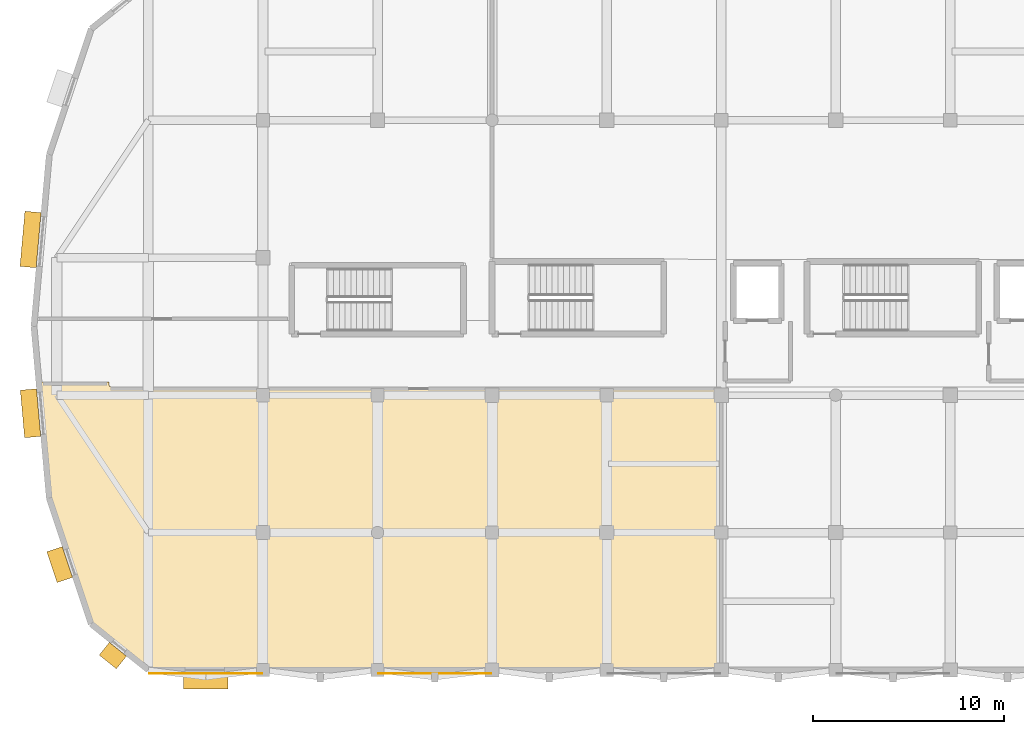
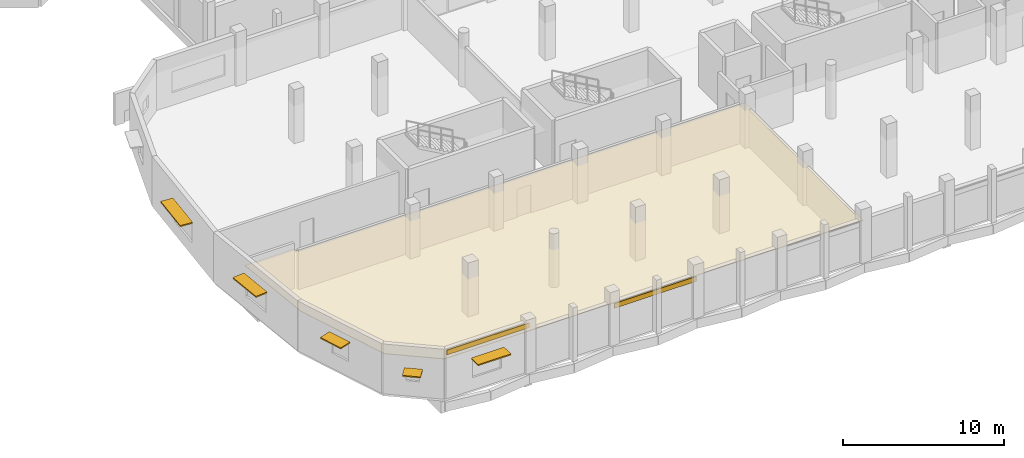
# One storey, part 114 of 127: 5 shading devices, 3 coverings.
"""IFC4 building model written with IfcOpenShell, lengths in metres."""

from ifc_helpers import new_model, si_unit, direction, frame, origin, origin_2d, place, context, subcontext, project, spatial, polyline, rectangle, outline, extrude, material, layer, layer_set, type_object, element, save


model = new_model("IFC4")

# Units and contexts
model_context = context("Model", 3, precision=1e-05, world=origin(), true_north=direction((0.0, 1.0)))
body_context = subcontext(model_context, "Body", "Model", "MODEL_VIEW")
ifc_project = project(units=[si_unit("LENGTHUNIT", "METRE"), si_unit("AREAUNIT", "SQUARE_METRE"), si_unit("VOLUMEUNIT", "CUBIC_METRE"), si_unit("PLANEANGLEUNIT", "RADIAN"), si_unit("MASSUNIT", "GRAM", prefix="KILO")], contexts=[model_context])

# Site, building, storey
site_placement = place(None, origin())
site = spatial("IfcSite", under=ifc_project, at=site_placement, CompositionType="ELEMENT")
building_placement = place(site_placement, origin())
building = spatial("IfcBuilding", under=site, at=building_placement, Name="Dunvalen Ferry Terminal", CompositionType="ELEMENT")
storey_placement = place(building_placement, frame((0.0, 0.0, 5.760009765625)))
storey = spatial("IfcBuildingStorey", under=building, at=storey_placement, Name="L01", CompositionType="ELEMENT", Elevation=5.760009765625)

# Coverings
ifc_material_1 = material(Name="Anodised marine aluminium fascia cladding", Category="aluminium")
ifc_layer_1 = layer(ifc_material_1, 0.050048828125, Name="Anodised marine aluminium fascia cladding")
ifc_layer_set_1 = layer_set([ifc_layer_1], Name="Anodised marine aluminium fascia cladding")
covering_type_1 = type_object("IfcCoveringType", Name="ENV-COV-CLD01", PredefinedType="CLADDING", material=ifc_layer_set_1)
for number, where, z_axis, x_axis, name in (
    (1, (9.0, -0.18408203125, 3.35009765625), (0.0, 0.0, 1.0), (1.0, 0.0, 0.0), "L01 Streamline Speed-Line Fascia Band 008"),
    (2, (21.0, -0.18408203125, 2.68017578125), (0.0, 0.0, 1.0), (1.0, 0.0, 0.0), "L01 Streamline Speed-Line Fascia Band 009"),
):
    element("IfcCovering", number, at=place(storey_placement, frame(where, z_axis=z_axis, x_axis=x_axis)), inside=storey, type_object=covering_type_1, Name=name, PredefinedType="CLADDING", context=body_context, shape_type="SweptSolid", body=[
        extrude(rectangle(XDim=5.89990234375, YDim=0.050048828125, at=origin_2d()), origin(), (0.0, 0.0, 1.0), 0.360107421875),
    ])

# Shading devices
ifc_material_2 = material(Name="Anodised marine aluminium EN AW-6063 T6", Category="aluminium")
ifc_layer_2 = layer(ifc_material_2, 0.090087890625, Name="Anodised marine aluminium EN AW-6063 T6")
ifc_layer_set_2 = layer_set([ifc_layer_2], Name="Anodised marine aluminium EN AW-6063 T6")
shading_device_type = type_object("IfcShadingDeviceType", Name="ENV-SHD-AWN01", PredefinedType="AWNING", material=ifc_layer_set_2)
shading_device_1_placement = place(storey_placement, frame((9.0, -0.5810546875, 2.384765625), z_axis=(0.0, 0.0, 1.0), x_axis=(1.0, 0.0, 0.0)))
element("IfcShadingDevice", 3, at=shading_device_1_placement, inside=storey, type_object=shading_device_type, Name="L01 Streamline Brise-Soleil Eyebrow 009", PredefinedType="AWNING", context=body_context, shape_type="SweptSolid", body=[
    extrude(rectangle(XDim=2.35009765625, YDim=0.85009765625, at=origin_2d()), origin(), (0.0, 0.0, 1.0), 0.090087890625),
])
shading_device_2_placement = place(storey_placement, frame((-0.1767578125, 22.5517578125, 2.48486328125), z_axis=(0.0, 0.0, 1.0), x_axis=(-0.088957034029, -0.996035464277, 0.0)))
element("IfcShadingDevice", 4, at=shading_device_2_placement, inside=storey, type_object=shading_device_type, Name="L01 Streamline Brise-Soleil Eyebrow 019", PredefinedType="AWNING", context=body_context, shape_type="SweptSolid", body=[
    extrude(rectangle(XDim=2.89990234375, YDim=0.85009765625, at=origin_2d()), origin(), (0.0, 0.0, 1.0), 0.090087890625),
])
shading_device_3_placement = place(storey_placement, frame((-0.1767578125, 13.4482421875, 2.48486328125), z_axis=(0.0, 0.0, 1.0), x_axis=(0.088957034029, -0.996035464277, 0.0)))
element("IfcShadingDevice", 5, at=shading_device_3_placement, inside=storey, type_object=shading_device_type, Name="L01 Streamline Brise-Soleil Eyebrow 020", PredefinedType="AWNING", context=body_context, shape_type="SweptSolid", body=[
    extrude(rectangle(XDim=2.5, YDim=0.85009765625, at=origin_2d()), origin(), (0.0, 0.0, 1.0), 0.090087890625),
])
shading_device_4_placement = place(storey_placement, frame((1.3505859375, 5.52197265625, 2.5849609375), z_axis=(0.0, 0.0, 1.0), x_axis=(0.316232085723, -0.948681858138, 0.0)))
element("IfcShadingDevice", 6, at=shading_device_4_placement, inside=storey, type_object=shading_device_type, Name="L01 Streamline Brise-Soleil Eyebrow 021", PredefinedType="AWNING", context=body_context, shape_type="SweptSolid", body=[
    extrude(rectangle(XDim=1.699951171875, YDim=0.85009765625, at=origin_2d()), origin(), (0.0, 0.0, 1.0), 0.090087890625),
])
shading_device_5_placement = place(storey_placement, frame((4.135986328125, 0.7529296875, 2.03515625), z_axis=(0.0, 0.0, 1.0), x_axis=(0.779409252356, -0.626515137361, 0.0)))
element("IfcShadingDevice", 7, at=shading_device_5_placement, inside=storey, type_object=shading_device_type, Name="L01 Streamline Brise-Soleil Eyebrow 022", PredefinedType="AWNING", context=body_context, shape_type="SweptSolid", body=[
    extrude(rectangle(XDim=1.14990234375, YDim=0.85009765625, at=origin_2d()), origin(), (0.0, 0.0, 1.0), 0.090087890625),
])

# Covering
ifc_material_3 = material(Name="Perforated marine aluminium acoustic baffle ceiling", Category="aluminium")
ifc_layer_3 = layer(ifc_material_3, 0.0400390625, Name="Perforated marine aluminium acoustic baffle ceiling")
ifc_layer_set_3 = layer_set([ifc_layer_3], Name="Perforated marine aluminium acoustic baffle ceiling")
covering_type_2 = type_object("IfcCoveringType", Name="INT-COV-CLG01", PredefinedType="CEILING", material=ifc_layer_set_3)
covering_placement = place(storey_placement, frame((0.0, 0.0, 2.81005859375)))
element("IfcCovering", 8, at=covering_placement, inside=storey, type_object=covering_type_2, Name="L01 Ferry Crew Welfare and Rest Lounge Acoustic Suspended Ceiling", PredefinedType="CEILING", context=body_context, shape_type="SweptSolid", body=[
    extrude(outline(polyline([(36.090087890625, 14.830078125), (4.0224609375, 14.830078125), (3.94970703125, 14.868896484375), (3.918212890625, 15.090087890625), (0.390380859375, 15.090087890625), (0.931884765625, 9.026611328125), (3.111328125, 2.48876953125), (6.0458984375, 0.1298828125), (36.090087890625, 0.1298828125), (36.090087890625, 14.830078125)])), origin(), (0.0, 0.0, 1.0), 0.0400390625),
])

save(model, "model.ifc")
